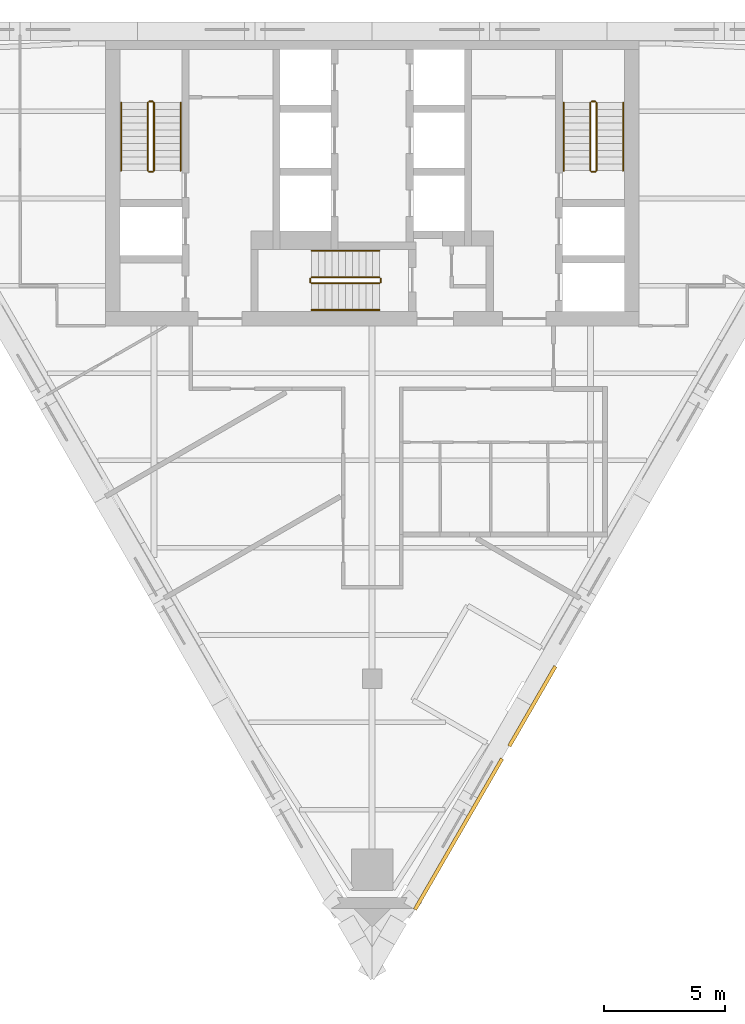
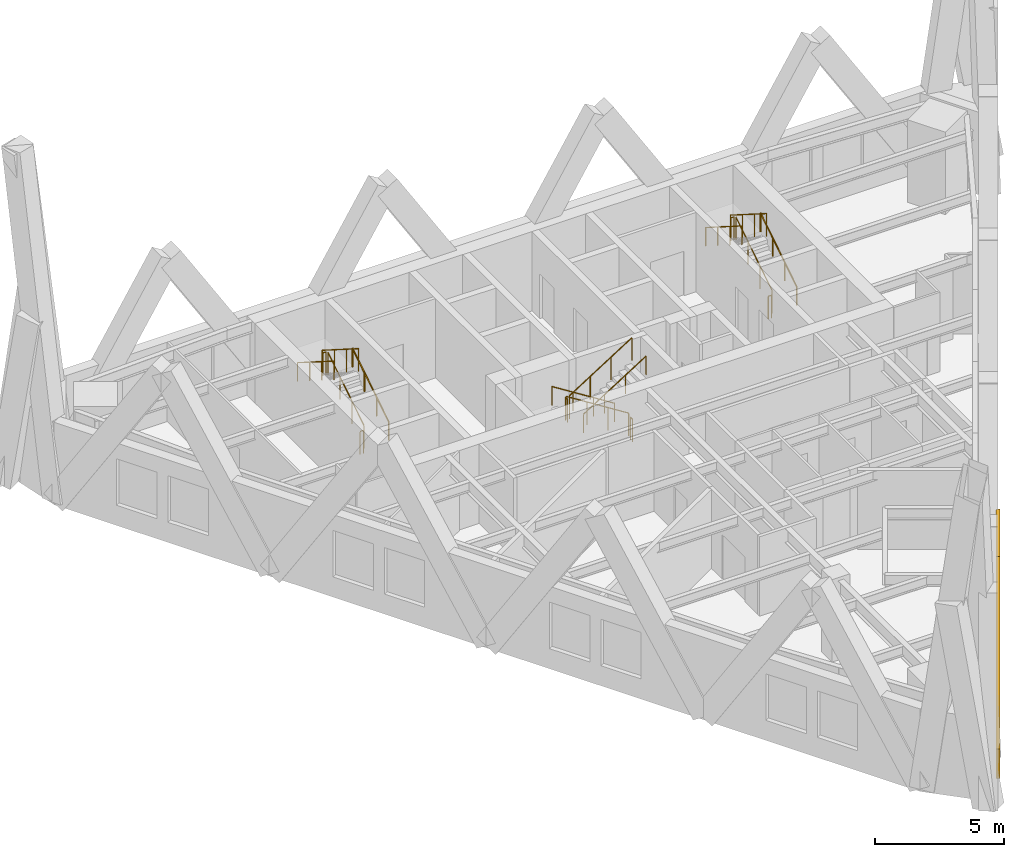
# One storey, part 7 of 7: 18 railings, 2 coverings.
"""IFC4 building model written with IfcOpenShell, lengths in metres."""

from ifc_helpers import new_model, si_unit, direction, frame, origin, origin_2d, place, context, subcontext, project, spatial, polyline, circle, outline, extrude, material, layer, layer_set, type_object, element, save


model = new_model("IFC4")

# Units and contexts
model_context = context("Model", 3, precision=1e-05, world=origin(), true_north=direction((0.0, 1.0)))
body_context = subcontext(model_context, "Body", "Model", "MODEL_VIEW")
ifc_project = project(units=[si_unit("LENGTHUNIT", "METRE"), si_unit("AREAUNIT", "SQUARE_METRE"), si_unit("VOLUMEUNIT", "CUBIC_METRE"), si_unit("PLANEANGLEUNIT", "RADIAN"), si_unit("MASSUNIT", "GRAM", prefix="KILO")], contexts=[model_context])

# Site, building, storey
site_placement = place(None, origin())
site = spatial("IfcSite", under=ifc_project, at=site_placement, CompositionType="ELEMENT")
building_placement = place(site_placement, origin())
building = spatial("IfcBuilding", under=site, at=building_placement, Name="Aloe Facet Convention Tower", CompositionType="ELEMENT")
storey_placement = place(building_placement, frame((0.0, 0.0, 211.39990234375)))
storey = spatial("IfcBuildingStorey", under=building, at=storey_placement, Name="L53", CompositionType="ELEMENT", Elevation=211.39990234375)

# Railings
ifc_material_1 = material(Name="Steel S355 balustrade", Category="steel")
railing_type_1 = type_object("IfcRailingType", Name="CR-RL-GUARD", PredefinedType="GUARDRAIL", material=ifc_material_1)
railing_1_placement = place(storey_placement, frame((71.0, 128.949951171875, 0.177490234375)))
element("IfcRailing", 1, at=railing_1_placement, inside=storey, type_object=railing_type_1, Name="L53 ST1 stair guard 1", PredefinedType="GUARDRAIL", context=body_context, shape_type="SweptSolid", body=[
    extrude(circle(Radius=0.02392578125, at=origin_2d()), frame((0.0, 0.0, 1.076171875), z_axis=(0.0, 0.844908973607, 0.534910110503), x_axis=(-1.0, 0.0, 0.0)), (0.0, 0.0, 1.0), 3.31396484375),
    extrude(circle(Radius=0.02099609375, at=origin_2d()), origin(), (0.0, 0.0, 1.0), 1.052001953125),
    extrude(circle(Radius=0.02099609375, at=origin_2d()), frame((0.0, 0.933349609375, 0.5908203125)), (0.0, 0.0, 1.0), 1.052001953125),
    extrude(circle(Radius=0.02099609375, at=origin_2d()), frame((0.0, 1.86669921875, 1.181884765625)), (0.0, 0.0, 1.0), 1.052001953125),
    extrude(circle(Radius=0.02099609375, at=origin_2d()), frame((0.0, 2.800048828125, 1.772705078125)), (0.0, 0.0, 1.0), 1.052001953125),
])
railing_2_placement = place(storey_placement, frame((70.949951171875, 131.800048828125, 1.9501953125)))
element("IfcRailing", 2, at=railing_2_placement, inside=storey, type_object=railing_type_1, Name="L53 ST1 stair guard 2", PredefinedType="GUARDRAIL", context=body_context, shape_type="SweptSolid", body=[
    extrude(circle(Radius=0.02392578125, at=origin_2d()), frame((0.0, 0.0, 1.076171875), z_axis=(-1.0, 0.0, 0.0), x_axis=(0.0, -1.0, 0.0)), (0.0, 0.0, 1.0), 0.14990234375),
    extrude(circle(Radius=0.02099609375, at=origin_2d()), origin(), (0.0, 0.0, 1.0), 1.052001953125),
    extrude(circle(Radius=0.02099609375, at=origin_2d()), frame((-0.14990234375, 0.0, 0.0)), (0.0, 0.0, 1.0), 1.052001953125),
])
railing_3_placement = place(storey_placement, frame((70.75, 131.75, 2.12744140625)))
element("IfcRailing", 3, at=railing_3_placement, inside=storey, type_object=railing_type_1, Name="L53 ST1 stair guard 3", PredefinedType="GUARDRAIL", context=body_context, shape_type="SweptSolid", body=[
    extrude(circle(Radius=0.02392578125, at=origin_2d()), frame((0.0, 0.0, 1.076171875), z_axis=(0.0, -0.844908973607, 0.534910110503), x_axis=(1.0, 0.0, 0.0)), (0.0, 0.0, 1.0), 3.31396484375),
    extrude(circle(Radius=0.02099609375, at=origin_2d()), origin(), (0.0, 0.0, 1.0), 1.052001953125),
    extrude(circle(Radius=0.02099609375, at=origin_2d()), frame((0.0, -0.933349609375, 0.5908203125)), (0.0, 0.0, 1.0), 1.052001953125),
    extrude(circle(Radius=0.02099609375, at=origin_2d()), frame((0.0, -1.86669921875, 1.181884765625)), (0.0, 0.0, 1.0), 1.052001953125),
    extrude(circle(Radius=0.02099609375, at=origin_2d()), frame((0.0, -2.800048828125, 1.772705078125)), (0.0, 0.0, 1.0), 1.052001953125),
])
railing_4_placement = place(storey_placement, frame((70.949951171875, 128.89990234375, 0.0)))
element("IfcRailing", 4, at=railing_4_placement, inside=storey, type_object=railing_type_1, Name="L53 ST1 stair guard 4", PredefinedType="GUARDRAIL", context=body_context, shape_type="SweptSolid", body=[
    extrude(circle(Radius=0.02392578125, at=origin_2d()), frame((0.0, 0.0, 1.076171875), z_axis=(-1.0, 0.0, 0.0), x_axis=(0.0, -1.0, 0.0)), (0.0, 0.0, 1.0), 0.14990234375),
    extrude(circle(Radius=0.02099609375, at=origin_2d()), origin(), (0.0, 0.0, 1.0), 1.052001953125),
    extrude(circle(Radius=0.02099609375, at=origin_2d()), frame((-0.14990234375, 0.0, 0.0)), (0.0, 0.0, 1.0), 1.052001953125),
])
railing_5_placement = place(storey_placement, frame((89.25, 128.949951171875, 0.177490234375)))
element("IfcRailing", 5, at=railing_5_placement, inside=storey, type_object=railing_type_1, Name="L53 ST2 stair guard 1", PredefinedType="GUARDRAIL", context=body_context, shape_type="SweptSolid", body=[
    extrude(circle(Radius=0.02392578125, at=origin_2d()), frame((0.0, 0.0, 1.076171875), z_axis=(0.0, 0.844908973607, 0.534910110503), x_axis=(-1.0, 0.0, 0.0)), (0.0, 0.0, 1.0), 3.31396484375),
    extrude(circle(Radius=0.02099609375, at=origin_2d()), origin(), (0.0, 0.0, 1.0), 1.052001953125),
    extrude(circle(Radius=0.02099609375, at=origin_2d()), frame((0.0, 0.933349609375, 0.5908203125)), (0.0, 0.0, 1.0), 1.052001953125),
    extrude(circle(Radius=0.02099609375, at=origin_2d()), frame((0.0, 1.86669921875, 1.181884765625)), (0.0, 0.0, 1.0), 1.052001953125),
    extrude(circle(Radius=0.02099609375, at=origin_2d()), frame((0.0, 2.800048828125, 1.772705078125)), (0.0, 0.0, 1.0), 1.052001953125),
])
railing_6_placement = place(storey_placement, frame((89.199951171875, 131.800048828125, 1.9501953125)))
element("IfcRailing", 6, at=railing_6_placement, inside=storey, type_object=railing_type_1, Name="L53 ST2 stair guard 2", PredefinedType="GUARDRAIL", context=body_context, shape_type="SweptSolid", body=[
    extrude(circle(Radius=0.02392578125, at=origin_2d()), frame((0.0, 0.0, 1.076171875), z_axis=(-1.0, 0.0, 0.0), x_axis=(0.0, -1.0, 0.0)), (0.0, 0.0, 1.0), 0.14990234375),
    extrude(circle(Radius=0.02099609375, at=origin_2d()), origin(), (0.0, 0.0, 1.0), 1.052001953125),
    extrude(circle(Radius=0.02099609375, at=origin_2d()), frame((-0.14990234375, 0.0, 0.0)), (0.0, 0.0, 1.0), 1.052001953125),
])
railing_7_placement = place(storey_placement, frame((89.0, 131.75, 2.12744140625)))
element("IfcRailing", 7, at=railing_7_placement, inside=storey, type_object=railing_type_1, Name="L53 ST2 stair guard 3", PredefinedType="GUARDRAIL", context=body_context, shape_type="SweptSolid", body=[
    extrude(circle(Radius=0.02392578125, at=origin_2d()), frame((0.0, 0.0, 1.076171875), z_axis=(0.0, -0.844908973607, 0.534910110503), x_axis=(1.0, 0.0, 0.0)), (0.0, 0.0, 1.0), 3.31396484375),
    extrude(circle(Radius=0.02099609375, at=origin_2d()), origin(), (0.0, 0.0, 1.0), 1.052001953125),
    extrude(circle(Radius=0.02099609375, at=origin_2d()), frame((0.0, -0.933349609375, 0.5908203125)), (0.0, 0.0, 1.0), 1.052001953125),
    extrude(circle(Radius=0.02099609375, at=origin_2d()), frame((0.0, -1.86669921875, 1.181884765625)), (0.0, 0.0, 1.0), 1.052001953125),
    extrude(circle(Radius=0.02099609375, at=origin_2d()), frame((0.0, -2.800048828125, 1.772705078125)), (0.0, 0.0, 1.0), 1.052001953125),
])
railing_8_placement = place(storey_placement, frame((89.199951171875, 128.89990234375, 0.0)))
element("IfcRailing", 8, at=railing_8_placement, inside=storey, type_object=railing_type_1, Name="L53 ST2 stair guard 4", PredefinedType="GUARDRAIL", context=body_context, shape_type="SweptSolid", body=[
    extrude(circle(Radius=0.02392578125, at=origin_2d()), frame((0.0, 0.0, 1.076171875), z_axis=(-1.0, 0.0, 0.0), x_axis=(0.0, -1.0, 0.0)), (0.0, 0.0, 1.0), 0.14990234375),
    extrude(circle(Radius=0.02099609375, at=origin_2d()), origin(), (0.0, 0.0, 1.0), 1.052001953125),
    extrude(circle(Radius=0.02099609375, at=origin_2d()), frame((-0.14990234375, 0.0, 0.0)), (0.0, 0.0, 1.0), 1.052001953125),
])
railing_9_placement = place(storey_placement, frame((80.300048828125, 124.550048828125, 0.177490234375)))
element("IfcRailing", 9, at=railing_9_placement, inside=storey, type_object=railing_type_1, Name="L53 ST3 stair guard 1", PredefinedType="GUARDRAIL", context=body_context, shape_type="SweptSolid", body=[
    extrude(circle(Radius=0.02392578125, at=origin_2d()), frame((0.0, 0.0, 1.076171875), z_axis=(-0.844908973607, 0.0, 0.534910110503), x_axis=(0.0, -1.0, 0.0)), (0.0, 0.0, 1.0), 3.31396484375),
    extrude(circle(Radius=0.02099609375, at=origin_2d()), origin(), (0.0, 0.0, 1.0), 1.052001953125),
    extrude(circle(Radius=0.02099609375, at=origin_2d()), frame((-0.933349609375, 0.0, 0.5908203125)), (0.0, 0.0, 1.0), 1.052001953125),
    extrude(circle(Radius=0.02099609375, at=origin_2d()), frame((-1.86669921875, 0.0, 1.181884765625)), (0.0, 0.0, 1.0), 1.052001953125),
    extrude(circle(Radius=0.02099609375, at=origin_2d()), frame((-2.800048828125, 0.0, 1.772705078125)), (0.0, 0.0, 1.0), 1.052001953125),
])
railing_10_placement = place(storey_placement, frame((77.449951171875, 124.5, 1.9501953125)))
element("IfcRailing", 10, at=railing_10_placement, inside=storey, type_object=railing_type_1, Name="L53 ST3 stair guard 2", PredefinedType="GUARDRAIL", context=body_context, shape_type="SweptSolid", body=[
    extrude(circle(Radius=0.02392578125, at=origin_2d()), frame((0.0, 0.0, 1.076171875), z_axis=(0.0, -1.0, 0.0), x_axis=(1.0, 0.0, 0.0)), (0.0, 0.0, 1.0), 0.14990234375),
    extrude(circle(Radius=0.02099609375, at=origin_2d()), origin(), (0.0, 0.0, 1.0), 1.052001953125),
    extrude(circle(Radius=0.02099609375, at=origin_2d()), frame((0.0, -0.14990234375, 0.0)), (0.0, 0.0, 1.0), 1.052001953125),
])
railing_11_placement = place(storey_placement, frame((77.5, 124.300048828125, 2.12744140625)))
element("IfcRailing", 11, at=railing_11_placement, inside=storey, type_object=railing_type_1, Name="L53 ST3 stair guard 3", PredefinedType="GUARDRAIL", context=body_context, shape_type="SweptSolid", body=[
    extrude(circle(Radius=0.02392578125, at=origin_2d()), frame((0.0, 0.0, 1.076171875), z_axis=(0.844908973607, 0.0, 0.534910110503), x_axis=(0.0, 1.0, 0.0)), (0.0, 0.0, 1.0), 3.31396484375),
    extrude(circle(Radius=0.02099609375, at=origin_2d()), origin(), (0.0, 0.0, 1.0), 1.052001953125),
    extrude(circle(Radius=0.02099609375, at=origin_2d()), frame((0.933349609375, 0.0, 0.5908203125)), (0.0, 0.0, 1.0), 1.052001953125),
    extrude(circle(Radius=0.02099609375, at=origin_2d()), frame((1.86669921875, 0.0, 1.181884765625)), (0.0, 0.0, 1.0), 1.052001953125),
    extrude(circle(Radius=0.02099609375, at=origin_2d()), frame((2.800048828125, 0.0, 1.772705078125)), (0.0, 0.0, 1.0), 1.052001953125),
])
railing_12_placement = place(storey_placement, frame((80.35009765625, 124.5, 0.0)))
element("IfcRailing", 12, at=railing_12_placement, inside=storey, type_object=railing_type_1, Name="L53 ST3 stair guard 4", PredefinedType="GUARDRAIL", context=body_context, shape_type="SweptSolid", body=[
    extrude(circle(Radius=0.02392578125, at=origin_2d()), frame((0.0, 0.0, 1.076171875), z_axis=(0.0, -1.0, 0.0), x_axis=(1.0, 0.0, 0.0)), (0.0, 0.0, 1.0), 0.14990234375),
    extrude(circle(Radius=0.02099609375, at=origin_2d()), origin(), (0.0, 0.0, 1.0), 1.052001953125),
    extrude(circle(Radius=0.02099609375, at=origin_2d()), frame((0.0, -0.14990234375, 0.0)), (0.0, 0.0, 1.0), 1.052001953125),
])
ifc_material_2 = material(Name="Steel S355 handrail", Category="steel")
railing_type_2 = type_object("IfcRailingType", Name="CR-RL-HAND", PredefinedType="HANDRAIL", material=ifc_material_2)
railing_13_placement = place(storey_placement, frame((72.10009765625, 128.949951171875, 0.177490234375)))
element("IfcRailing", 13, at=railing_13_placement, inside=storey, type_object=railing_type_2, Name="L53 ST1 stair handrail 1", PredefinedType="HANDRAIL", context=body_context, shape_type="SweptSolid", body=[
    extrude(circle(Radius=0.02392578125, at=origin_2d()), frame((0.0, 0.0, 0.8759765625), z_axis=(0.0, 0.844908973607, 0.534910110503), x_axis=(-1.0, 0.0, 0.0)), (0.0, 0.0, 1.0), 3.31396484375),
    extrude(circle(Radius=0.02099609375, at=origin_2d()), origin(), (0.0, 0.0, 1.0), 0.851806640625),
    extrude(circle(Radius=0.02099609375, at=origin_2d()), frame((0.0, 0.933349609375, 0.5908203125)), (0.0, 0.0, 1.0), 0.851806640625),
    extrude(circle(Radius=0.02099609375, at=origin_2d()), frame((0.0, 1.86669921875, 1.181884765625)), (0.0, 0.0, 1.0), 0.851806640625),
    extrude(circle(Radius=0.02099609375, at=origin_2d()), frame((0.0, 2.800048828125, 1.772705078125)), (0.0, 0.0, 1.0), 0.851806640625),
])
railing_14_placement = place(storey_placement, frame((69.64990234375, 131.75, 2.12744140625)))
element("IfcRailing", 14, at=railing_14_placement, inside=storey, type_object=railing_type_2, Name="L53 ST1 stair handrail 2", PredefinedType="HANDRAIL", context=body_context, shape_type="SweptSolid", body=[
    extrude(circle(Radius=0.02392578125, at=origin_2d()), frame((0.0, 0.0, 0.8759765625), z_axis=(0.0, -0.844908973607, 0.534910110503), x_axis=(1.0, 0.0, 0.0)), (0.0, 0.0, 1.0), 3.31396484375),
    extrude(circle(Radius=0.02099609375, at=origin_2d()), origin(), (0.0, 0.0, 1.0), 0.851806640625),
    extrude(circle(Radius=0.02099609375, at=origin_2d()), frame((0.0, -0.933349609375, 0.5908203125)), (0.0, 0.0, 1.0), 0.851806640625),
    extrude(circle(Radius=0.02099609375, at=origin_2d()), frame((0.0, -1.86669921875, 1.181884765625)), (0.0, 0.0, 1.0), 0.851806640625),
    extrude(circle(Radius=0.02099609375, at=origin_2d()), frame((0.0, -2.800048828125, 1.772705078125)), (0.0, 0.0, 1.0), 0.851806640625),
])
railing_15_placement = place(storey_placement, frame((90.35009765625, 128.949951171875, 0.177490234375)))
element("IfcRailing", 15, at=railing_15_placement, inside=storey, type_object=railing_type_2, Name="L53 ST2 stair handrail 1", PredefinedType="HANDRAIL", context=body_context, shape_type="SweptSolid", body=[
    extrude(circle(Radius=0.02392578125, at=origin_2d()), frame((0.0, 0.0, 0.8759765625), z_axis=(0.0, 0.844908973607, 0.534910110503), x_axis=(-1.0, 0.0, 0.0)), (0.0, 0.0, 1.0), 3.31396484375),
    extrude(circle(Radius=0.02099609375, at=origin_2d()), origin(), (0.0, 0.0, 1.0), 0.851806640625),
    extrude(circle(Radius=0.02099609375, at=origin_2d()), frame((0.0, 0.933349609375, 0.5908203125)), (0.0, 0.0, 1.0), 0.851806640625),
    extrude(circle(Radius=0.02099609375, at=origin_2d()), frame((0.0, 1.86669921875, 1.181884765625)), (0.0, 0.0, 1.0), 0.851806640625),
    extrude(circle(Radius=0.02099609375, at=origin_2d()), frame((0.0, 2.800048828125, 1.772705078125)), (0.0, 0.0, 1.0), 0.851806640625),
])
railing_16_placement = place(storey_placement, frame((87.89990234375, 131.75, 2.12744140625)))
element("IfcRailing", 16, at=railing_16_placement, inside=storey, type_object=railing_type_2, Name="L53 ST2 stair handrail 2", PredefinedType="HANDRAIL", context=body_context, shape_type="SweptSolid", body=[
    extrude(circle(Radius=0.02392578125, at=origin_2d()), frame((0.0, 0.0, 0.8759765625), z_axis=(0.0, -0.844908973607, 0.534910110503), x_axis=(1.0, 0.0, 0.0)), (0.0, 0.0, 1.0), 3.31396484375),
    extrude(circle(Radius=0.02099609375, at=origin_2d()), origin(), (0.0, 0.0, 1.0), 0.851806640625),
    extrude(circle(Radius=0.02099609375, at=origin_2d()), frame((0.0, -0.933349609375, 0.5908203125)), (0.0, 0.0, 1.0), 0.851806640625),
    extrude(circle(Radius=0.02099609375, at=origin_2d()), frame((0.0, -1.86669921875, 1.181884765625)), (0.0, 0.0, 1.0), 0.851806640625),
    extrude(circle(Radius=0.02099609375, at=origin_2d()), frame((0.0, -2.800048828125, 1.772705078125)), (0.0, 0.0, 1.0), 0.851806640625),
])
railing_17_placement = place(storey_placement, frame((80.300048828125, 125.64990234375, 0.177490234375)))
element("IfcRailing", 17, at=railing_17_placement, inside=storey, type_object=railing_type_2, Name="L53 ST3 stair handrail 1", PredefinedType="HANDRAIL", context=body_context, shape_type="SweptSolid", body=[
    extrude(circle(Radius=0.02392578125, at=origin_2d()), frame((0.0, 0.0, 0.8759765625), z_axis=(-0.844908973607, 0.0, 0.534910110503), x_axis=(0.0, -1.0, 0.0)), (0.0, 0.0, 1.0), 3.31396484375),
    extrude(circle(Radius=0.02099609375, at=origin_2d()), origin(), (0.0, 0.0, 1.0), 0.851806640625),
    extrude(circle(Radius=0.02099609375, at=origin_2d()), frame((-0.933349609375, 0.0, 0.5908203125)), (0.0, 0.0, 1.0), 0.851806640625),
    extrude(circle(Radius=0.02099609375, at=origin_2d()), frame((-1.86669921875, 0.0, 1.181884765625)), (0.0, 0.0, 1.0), 0.851806640625),
    extrude(circle(Radius=0.02099609375, at=origin_2d()), frame((-2.800048828125, 0.0, 1.772705078125)), (0.0, 0.0, 1.0), 0.851806640625),
])
railing_18_placement = place(storey_placement, frame((77.5, 123.199951171875, 2.12744140625)))
element("IfcRailing", 18, at=railing_18_placement, inside=storey, type_object=railing_type_2, Name="L53 ST3 stair handrail 2", PredefinedType="HANDRAIL", context=body_context, shape_type="SweptSolid", body=[
    extrude(circle(Radius=0.02392578125, at=origin_2d()), frame((0.0, 0.0, 0.8759765625), z_axis=(0.844908973607, 0.0, 0.534910110503), x_axis=(0.0, 1.0, 0.0)), (0.0, 0.0, 1.0), 3.31396484375),
    extrude(circle(Radius=0.02099609375, at=origin_2d()), origin(), (0.0, 0.0, 1.0), 0.851806640625),
    extrude(circle(Radius=0.02099609375, at=origin_2d()), frame((0.933349609375, 0.0, 0.5908203125)), (0.0, 0.0, 1.0), 0.851806640625),
    extrude(circle(Radius=0.02099609375, at=origin_2d()), frame((1.86669921875, 0.0, 1.181884765625)), (0.0, 0.0, 1.0), 0.851806640625),
    extrude(circle(Radius=0.02099609375, at=origin_2d()), frame((2.800048828125, 0.0, 1.772705078125)), (0.0, 0.0, 1.0), 0.851806640625),
])

# Coverings
ifc_material_3 = material(Name="Bronze oxide fascia sheet")
ifc_layer = layer(ifc_material_3, 0.14990234375)
ifc_layer_set = layer_set([ifc_layer], Name="EV-FASCIA-TERR")
covering_type = type_object("IfcCoveringType", Name="EV-FASCIA-TERR", PredefinedType="CLADDING", material=ifc_layer_set)
covering_1_placement = place(storey_placement, frame((0.0, 0.0, 3.35009765625)))
element("IfcCovering", 19, at=covering_1_placement, inside=storey, type_object=covering_type, Name="Terrace fascia T12 sill", PredefinedType="CLADDING", context=body_context, shape_type="SweptSolid", body=[
    extrude(outline(polyline([(85.720947265625, 105.1796875), (87.62109375, 108.470703125), (87.4912109375, 108.545654296875), (85.591064453125, 105.254638671875), (85.720947265625, 105.1796875)])), origin(), (0.0, 0.0, 1.0), 0.550048828125),
])
covering_2_placement = place(storey_placement, frame((81.829833984375, 98.43994140625, -0.732177734375), z_axis=(0.86602143209, -0.500006879113, 0.0), x_axis=(0.434700486538, 0.752909517064, 0.494128268892)))
element("IfcCovering", 20, at=covering_2_placement, inside=storey, type_object=covering_type, Name="Spiral ribbon zone 4 part 9", PredefinedType="CLADDING", context=body_context, shape_type="SweptSolid", body=[
    extrude(outline(polyline([(0.0, 0.0), (8.261570218962795, -4.440892098500626e-16), (8.953301540697701, 1.2170597152841847), (0.6918519585193053, 1.2172719684609), (0.0, 0.0)])), origin(), (0.0, 0.0, -1.0), 0.14990234375),
])

save(model, "model.ifc")
